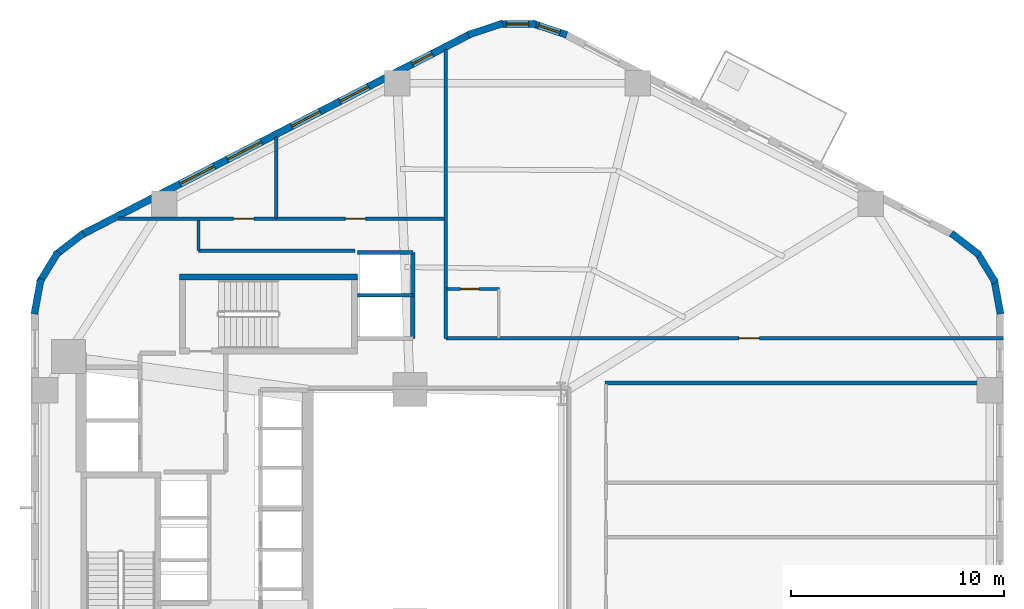
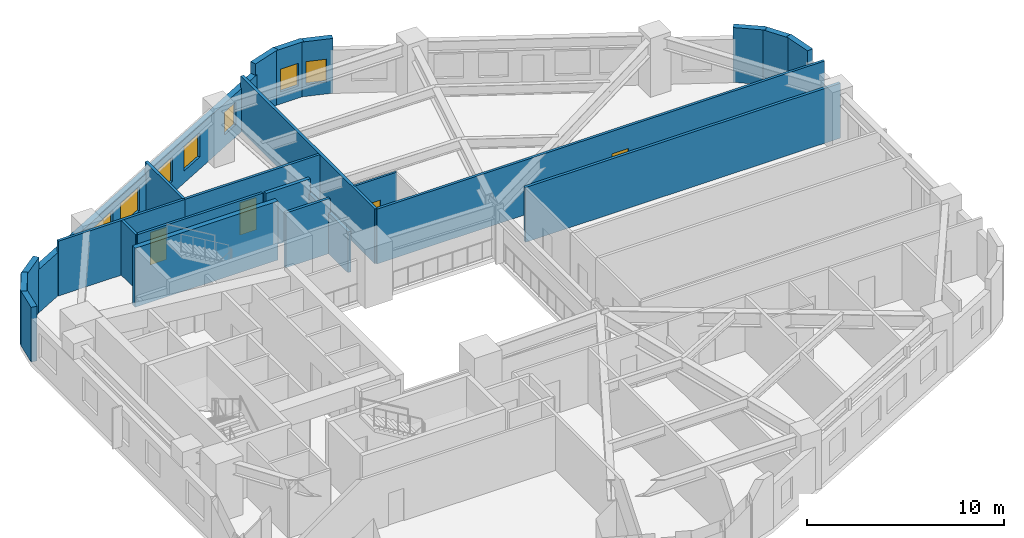
# One storey, part 5 of 8: 23 walls, 7 windows, 4 doors, 11 openings.
"""IFC4 building model written with IfcOpenShell, lengths in metres."""

from ifc_helpers import new_model, si_unit, direction, frame, frame_2d, origin, place, context, subcontext, project, spatial, rectangle, extrude, material, layer, layer_set, type_object, element, fill, save


model = new_model("IFC4")

# Units and contexts
model_context = context("Model", 3, precision=1e-05, world=origin(), true_north=direction((0.0, 1.0)))
body_context = subcontext(model_context, "Body", "Model", "MODEL_VIEW")
ifc_project = project(units=[si_unit("LENGTHUNIT", "METRE"), si_unit("AREAUNIT", "SQUARE_METRE"), si_unit("VOLUMEUNIT", "CUBIC_METRE"), si_unit("PLANEANGLEUNIT", "RADIAN"), si_unit("MASSUNIT", "GRAM", prefix="KILO"), si_unit("THERMODYNAMICTEMPERATUREUNIT", "KELVIN"), si_unit("POWERUNIT", "WATT")], contexts=[model_context])

# Site, building, storey
site_placement = place(None, origin())
site = spatial("IfcSite", under=ifc_project, at=site_placement, CompositionType="ELEMENT")
building_placement = place(site_placement, origin())
building = spatial("IfcBuilding", under=site, at=building_placement, Name="Skarre Station Tower", CompositionType="ELEMENT")
storey_placement = place(building_placement, frame((0.0, 0.0, 81.75)))
storey = spatial("IfcBuildingStorey", under=building, at=storey_placement, Name="L21", CompositionType="ELEMENT", Elevation=81.75)

# Wall, opening, door
ifc_material_1 = material(Name="Acoustic Steel-Stud Gypsum Partition", Category="steel")
ifc_layer_1 = layer(ifc_material_1, 0.14990234375, Name="Acoustic Steel-Stud Gypsum Partition")
ifc_layer_set_1 = layer_set([ifc_layer_1], Name="Acoustic Steel-Stud Gypsum Partition")
wall_type_1 = type_object("IfcWallType", Name="Fire-Rated Corridor Acoustic Partition 150", PredefinedType="PARTITIONING", material=ifc_layer_set_1)
wall_1_placement = place(storey_placement, frame((26.048095703125, 37.580078125, 0.0), z_axis=(0.0, 0.0, 1.0), x_axis=(-1.0, 0.0, 0.0)))
wall_1 = element("IfcWall", 1, at=wall_1_placement, inside=storey, type_object=wall_type_1, Name="L21 Interior Partition WL-PT-L21-NWW1-CW", PredefinedType="PARTITIONING", context=body_context, shape_type="SweptSolid", body=[
    extrude(rectangle(XDim=7.398193359375, YDim=0.14990234375, at=frame_2d((3.69921875, 0.0))), origin(), (0.0, 0.0, 1.0), 3.389892578125),
])
opening_1_placement = place(wall_1_placement, frame((1.035888671875, 0.0, 0.0)))
opening_1 = element("IfcOpeningElement", 2, at=opening_1_placement, cuts=wall_1, Name="Opening DR-FD60", PredefinedType="OPENING", context=body_context, shape_type="SweptSolid", body=[
    extrude(rectangle(XDim=0.9599609375, YDim=2.0, at=frame_2d((0.47998046875, 1.0))), frame((0.0, 0.0849609375, 0.0), z_axis=(0.0, -1.0, 0.0), x_axis=(1.0, 0.0, 0.0)), (0.0, 0.0, 1.0), 0.169921875),
])
ifc_material_2 = material(Name="Nordic White-Oak Veneer Solid-Core Fire Leaf", Category="wood")
door_type_1 = type_object("IfcDoorType", Name="Corridor Suite Entry Fire Door FD60 960x2150", OperationType="SINGLE_SWING_LEFT", PredefinedType="DOOR", material=ifc_material_2)
door_1_placement = place(opening_1_placement, origin())
door_1 = element("IfcDoor", 3, at=door_1_placement, inside=storey, type_object=door_type_1, Name="L21 NWW1 Entry Door", OperationType="SINGLE_SWING_LEFT", OverallHeight=2.0, OverallWidth=0.9599609375, PredefinedType="DOOR", context=body_context, shape_type="SweptSolid", body=[
    extrude(rectangle(XDim=0.9599609375, YDim=2.0, at=frame_2d((0.47998046875, 1.0))), frame((0.0, 0.02490234375, 0.0), z_axis=(0.0, -1.0, 0.0), x_axis=(1.0, 0.0, 0.0)), (0.0, 0.0, 1.0), 0.050048828125),
])
fill(opening_1, door_1)

wall_2_placement = place(storey_placement, frame((33.9619140625, 37.580078125, 0.0), z_axis=(0.0, 0.0, 1.0), x_axis=(-1.0, 0.0, 0.0)))
wall_2 = element("IfcWall", 4, at=wall_2_placement, inside=storey, type_object=wall_type_1, Name="L21 Interior Partition WL-PT-L21-NWW2-CW", PredefinedType="PARTITIONING", context=body_context, shape_type="SweptSolid", body=[
    extrude(rectangle(XDim=7.90380859375, YDim=0.14990234375, at=frame_2d((3.951904296875, 0.0))), origin(), (0.0, 0.0, 1.0), 3.389892578125),
])
opening_2_placement = place(wall_2_placement, frame((3.697021484375, 0.0, 0.0)))
opening_2 = element("IfcOpeningElement", 5, at=opening_2_placement, cuts=wall_2, Name="Opening DR-FD60", PredefinedType="OPENING", context=body_context, shape_type="SweptSolid", body=[
    extrude(rectangle(XDim=0.9599609375, YDim=2.0, at=frame_2d((0.47998046875, 1.0))), frame((0.0, 0.0849609375, 0.0), z_axis=(0.0, -1.0, 0.0), x_axis=(1.0, 0.0, 0.0)), (0.0, 0.0, 1.0), 0.169921875),
])
door_2_placement = place(opening_2_placement, origin())
door_2 = element("IfcDoor", 6, at=door_2_placement, inside=storey, type_object=door_type_1, Name="L21 NWW2 Entry Door", OperationType="SINGLE_SWING_LEFT", OverallHeight=2.0, OverallWidth=0.9599609375, PredefinedType="DOOR", context=body_context, shape_type="SweptSolid", body=[
    extrude(rectangle(XDim=0.9599609375, YDim=2.0, at=frame_2d((0.47998046875, 1.0))), frame((0.0, 0.02490234375, 0.0), z_axis=(0.0, -1.0, 0.0), x_axis=(1.0, 0.0, 0.0)), (0.0, 0.0, 1.0), 0.050048828125),
])
fill(opening_2, door_2)

wall_3_placement = place(storey_placement, frame((60.2529296875, 31.9599609375, 0.0), z_axis=(0.0, 0.0, 1.0), x_axis=(-1.0, 0.0, 0.0)))
wall_3 = element("IfcWall", 7, at=wall_3_placement, inside=storey, type_object=wall_type_1, Name="L21 Interior Partition WL-PT-L21-NW1-CW", PredefinedType="PARTITIONING", context=body_context, shape_type="SweptSolid", body=[
    extrude(rectangle(XDim=26.212890625, YDim=0.14990234375, at=frame_2d((13.1064453125, 0.0))), origin(), (0.0, 0.0, 1.0), 3.389892578125),
])
opening_3_placement = place(wall_3_placement, frame((11.47705078125, 0.0, 0.0)))
opening_3 = element("IfcOpeningElement", 8, at=opening_3_placement, cuts=wall_3, Name="Opening DR-FD60", PredefinedType="OPENING", context=body_context, shape_type="SweptSolid", body=[
    extrude(rectangle(XDim=0.9599609375, YDim=2.0, at=frame_2d((0.47998046875, 1.0))), frame((0.0, 0.0849609375, 0.0), z_axis=(0.0, -1.0, 0.0), x_axis=(1.0, 0.0, 0.0)), (0.0, 0.0, 1.0), 0.169921875),
])
door_3_placement = place(opening_3_placement, origin())
door_3 = element("IfcDoor", 9, at=door_3_placement, inside=storey, type_object=door_type_1, Name="L21 NW1 Entry Door", OperationType="SINGLE_SWING_LEFT", OverallHeight=2.0, OverallWidth=0.9599609375, PredefinedType="DOOR", context=body_context, shape_type="SweptSolid", body=[
    extrude(rectangle(XDim=0.9599609375, YDim=2.0, at=frame_2d((0.47998046875, 1.0))), frame((0.0, 0.02490234375, 0.0), z_axis=(0.0, -1.0, 0.0), x_axis=(1.0, 0.0, 0.0)), (0.0, 0.0, 1.0), 0.050048828125),
])
fill(opening_3, door_3)

# Walls
wall_4_placement = place(storey_placement, frame((29.7529296875, 36.080078125, 0.0), z_axis=(0.0, 0.0, 1.0), x_axis=(-1.0, 0.0, 0.0)))
element("IfcWall", 10, at=wall_4_placement, inside=storey, type_object=wall_type_1, Name="L21 Interior Partition WL-PT-L21-CSEAL-1", PredefinedType="PARTITIONING", context=body_context, shape_type="SweptSolid", body=[
    extrude(rectangle(XDim=7.35302734375, YDim=0.14990234375, at=frame_2d((3.676513671875, 0.0))), origin(), (0.0, 0.0, 1.0), 3.389892578125),
])
wall_5_placement = place(storey_placement, frame((22.39990234375, 36.080078125, 0.0), z_axis=(0.0, 0.0, 1.0), x_axis=(0.0, 1.0, 0.0)))
element("IfcWall", 11, at=wall_5_placement, inside=storey, type_object=wall_type_1, Name="L21 Interior Partition WL-PT-L21-CSEAL-2", PredefinedType="PARTITIONING", context=body_context, shape_type="SweptSolid", body=[
    extrude(rectangle(XDim=1.429931640625, YDim=0.14990234375, at=frame_2d((0.71484375, 0.0))), origin(), (0.0, 0.0, 1.0), 3.389892578125),
])

# Wall, opening, door
ifc_material_3 = material(Name="Insulated Timber-Stud Gypsum Partition", Category="wood")
ifc_layer_2 = layer(ifc_material_3, 0.1201171875, Name="Insulated Timber-Stud Gypsum Partition")
ifc_layer_set_2 = layer_set([ifc_layer_2], Name="Insulated Timber-Stud Gypsum Partition")
wall_type_2 = type_object("IfcWallType", Name="Internal Suite Acoustic Partition 120", PredefinedType="PARTITIONING", material=ifc_layer_set_2)
wall_6_placement = place(storey_placement, frame((34.080078125, 34.280029296875, 0.0), z_axis=(0.0, 0.0, 1.0), x_axis=(1.0, 0.0, 0.0)))
wall_6 = element("IfcWall", 12, at=wall_6_placement, inside=storey, type_object=wall_type_2, Name="L21 Interior Partition WL-PT-L21-NW1-SA1", PredefinedType="PARTITIONING", context=body_context, shape_type="SweptSolid", body=[
    extrude(rectangle(XDim=2.47998046875, YDim=0.1201171875, at=frame_2d((1.239990234375, 0.0))), origin(), (0.0, 0.0, 1.0), 3.389892578125),
])
opening_4_placement = place(wall_6_placement, frame((0.64990234375, 0.0, 0.0)))
opening_4 = element("IfcOpeningElement", 13, at=opening_4_placement, cuts=wall_6, Name="Opening DR-INT86", PredefinedType="OPENING", context=body_context, shape_type="SweptSolid", body=[
    extrude(rectangle(XDim=0.860107421875, YDim=2.0, at=frame_2d((0.43017578125, 1.0))), frame((0.0, 0.070068359375, 0.0), z_axis=(0.0, -1.0, 0.0), x_axis=(1.0, 0.0, 0.0)), (0.0, 0.0, 1.0), 0.14013671875),
])
ifc_material_4 = material(Name="Nordic Birch Acoustic Solid-Core Timber Leaf", Category="wood")
door_type_2 = type_object("IfcDoorType", Name="Internal En-Suite & Bedroom Door 860x2100", OperationType="SINGLE_SWING_LEFT", PredefinedType="DOOR", material=ifc_material_4)
door_4_placement = place(opening_4_placement, origin())
door_4 = element("IfcDoor", 14, at=door_4_placement, inside=storey, type_object=door_type_2, Name="L21 NW1 Alcove Store Door", OperationType="SINGLE_SWING_LEFT", OverallHeight=2.0, OverallWidth=0.860107421875, PredefinedType="DOOR", context=body_context, shape_type="SweptSolid", body=[
    extrude(rectangle(XDim=0.860107421875, YDim=2.0, at=frame_2d((0.43017578125, 1.0))), frame((0.0, 0.02490234375, 0.0), z_axis=(0.0, -1.0, 0.0), x_axis=(1.0, 0.0, 0.0)), (0.0, 0.0, 1.0), 0.050048828125),
])
fill(opening_4, door_4)

# Wall, openings, windows
ifc_material_5 = material(Name="Precast concrete C45/55", Category="concrete")
ifc_layer_3 = layer(ifc_material_5, 0.340087890625, Name="Precast concrete C45/55")
ifc_layer_set_3 = layer_set([ifc_layer_3], Name="Precast concrete C45/55")
wall_type_3 = type_object("IfcWallType", Name="Nordic Honed Precast Facet Wall 340", PredefinedType="STANDARD", material=ifc_layer_set_3)
wall_7_placement = place(storey_placement, frame((16.924072265625, 36.841064453125, 0.0), z_axis=(0.0, 0.0, 1.0), x_axis=(0.888634413993, 0.458616264721, 0.0)))
wall_7 = element("IfcWall", 15, at=wall_7_placement, inside=storey, type_object=wall_type_3, Name="L21 Facet 1 Nordic Precast Masonry Wall", PredefinedType="STANDARD", context=body_context, shape_type="SweptSolid", body=[
    extrude(rectangle(XDim=20.53125, YDim=0.340087890625, at=frame_2d((10.265625, 0.0))), origin(), (0.0, 0.0, 1.0), 2.68408203125),
])
opening_5_placement = place(wall_7_placement, frame((5.197021484375, 0.0, 0.75)))
opening_5 = element("IfcOpeningElement", 16, at=opening_5_placement, cuts=wall_7, Name="Opening WN-Z1A", PredefinedType="OPENING", context=body_context, shape_type="SweptSolid", body=[
    extrude(rectangle(XDim=1.800048828125, YDim=1.5, at=frame_2d((0.89990234375, 0.75))), frame((0.0, 0.179931640625, 0.0), z_axis=(0.0, -1.0, 0.0), x_axis=(1.0, 0.0, 0.0)), (0.0, 0.0, 1.0), 0.360107421875),
])
opening_6_placement = place(wall_7_placement, frame((7.697998046875, 0.0, 0.75)))
opening_6 = element("IfcOpeningElement", 17, at=opening_6_placement, cuts=wall_7, Name="Opening WN-Z1A", PredefinedType="OPENING", context=body_context, shape_type="SweptSolid", body=[
    extrude(rectangle(XDim=1.800048828125, YDim=1.5, at=frame_2d((0.89990234375, 0.75))), frame((0.0, 0.179931640625, 0.0), z_axis=(0.0, -1.0, 0.0), x_axis=(1.0, 0.0, 0.0)), (0.0, 0.0, 1.0), 0.360107421875),
])
opening_7_placement = place(wall_7_placement, frame((11.10107421875, 0.0, 0.75)))
opening_7 = element("IfcOpeningElement", 18, at=opening_7_placement, cuts=wall_7, Name="Opening WN-Z1B", PredefinedType="OPENING", context=body_context, shape_type="SweptSolid", body=[
    extrude(rectangle(XDim=1.5, YDim=1.5, at=frame_2d((0.75, 0.75))), frame((0.0, 0.179931640625, 0.0), z_axis=(0.0, -1.0, 0.0), x_axis=(1.0, 0.0, 0.0)), (0.0, 0.0, 1.0), 0.360107421875),
])
opening_8_placement = place(wall_7_placement, frame((13.656982421875, 0.0, 0.75)))
opening_8 = element("IfcOpeningElement", 19, at=opening_8_placement, cuts=wall_7, Name="Opening WN-Z1B", PredefinedType="OPENING", context=body_context, shape_type="SweptSolid", body=[
    extrude(rectangle(XDim=1.5, YDim=1.5, at=frame_2d((0.75, 0.75))), frame((0.0, 0.179931640625, 0.0), z_axis=(0.0, -1.0, 0.0), x_axis=(1.0, 0.0, 0.0)), (0.0, 0.0, 1.0), 0.360107421875),
])
opening_9_placement = place(wall_7_placement, frame((17.47607421875, 0.0, 0.75)))
opening_9 = element("IfcOpeningElement", 20, at=opening_9_placement, cuts=wall_7, Name="Opening WN-SLT", PredefinedType="OPENING", context=body_context, shape_type="SweptSolid", body=[
    extrude(rectangle(XDim=1.050048828125, YDim=1.39990234375, at=frame_2d((0.52490234375, 0.699951171875))), frame((0.0, 0.179931640625, 0.0), z_axis=(0.0, -1.0, 0.0), x_axis=(1.0, 0.0, 0.0)), (0.0, 0.0, 1.0), 0.360107421875),
])
ifc_material_6 = material(Name="Low-Iron Triple Glazing with Bronze Anodized Frame", Category="glass")
window_type_1 = type_object("IfcWindowType", Name="Nordic Corner Slot Window 1050x1400", PartitioningType="SINGLE_PANEL", PredefinedType="WINDOW", material=ifc_material_6)
window_1_placement = place(opening_9_placement, origin())
window_1 = element("IfcWindow", 21, at=window_1_placement, inside=storey, type_object=window_type_1, Name="L21 Facade Window WL-FAC-L21-F1-5", OverallHeight=1.39990234375, OverallWidth=1.050048828125, PartitioningType="SINGLE_PANEL", PredefinedType="WINDOW", context=body_context, shape_type="SweptSolid", body=[
    extrude(rectangle(XDim=1.050048828125, YDim=1.39990234375, at=frame_2d((0.52490234375, 0.699951171875))), frame((0.0, 0.030029296875, 0.0), z_axis=(0.0, -1.0, 0.0), x_axis=(1.0, 0.0, 0.0)), (0.0, 0.0, 1.0), 0.06005859375),
])
fill(opening_9, window_1)
window_type_2 = type_object("IfcWindowType", Name="Nordic Punched Triple-Glazed Window 1500x1500", PartitioningType="SINGLE_PANEL", PredefinedType="WINDOW", material=ifc_material_6)
window_2_placement = place(opening_7_placement, origin())
window_2 = element("IfcWindow", 22, at=window_2_placement, inside=storey, type_object=window_type_2, Name="L21 Facade Window WL-FAC-L21-F1-3", OverallHeight=1.5, OverallWidth=1.5, PartitioningType="SINGLE_PANEL", PredefinedType="WINDOW", context=body_context, shape_type="SweptSolid", body=[
    extrude(rectangle(XDim=1.5, YDim=1.5, at=frame_2d((0.75, 0.75))), frame((0.0, 0.030029296875, 0.0), z_axis=(0.0, -1.0, 0.0), x_axis=(1.0, 0.0, 0.0)), (0.0, 0.0, 1.0), 0.06005859375),
])
fill(opening_7, window_2)
window_3_placement = place(opening_8_placement, origin())
window_3 = element("IfcWindow", 23, at=window_3_placement, inside=storey, type_object=window_type_2, Name="L21 Facade Window WL-FAC-L21-F1-4", OverallHeight=1.5, OverallWidth=1.5, PartitioningType="SINGLE_PANEL", PredefinedType="WINDOW", context=body_context, shape_type="SweptSolid", body=[
    extrude(rectangle(XDim=1.5, YDim=1.5, at=frame_2d((0.75, 0.75))), frame((0.0, 0.030029296875, 0.0), z_axis=(0.0, -1.0, 0.0), x_axis=(1.0, 0.0, 0.0)), (0.0, 0.0, 1.0), 0.06005859375),
])
fill(opening_8, window_3)
window_type_3 = type_object("IfcWindowType", Name="Nordic Punched Triple-Glazed Window 1800x1500", PartitioningType="SINGLE_PANEL", PredefinedType="WINDOW", material=ifc_material_6)
window_4_placement = place(opening_5_placement, origin())
window_4 = element("IfcWindow", 24, at=window_4_placement, inside=storey, type_object=window_type_3, Name="L21 Facade Window WL-FAC-L21-F1-1", OverallHeight=1.5, OverallWidth=1.800048828125, PartitioningType="SINGLE_PANEL", PredefinedType="WINDOW", context=body_context, shape_type="SweptSolid", body=[
    extrude(rectangle(XDim=1.800048828125, YDim=1.5, at=frame_2d((0.89990234375, 0.75))), frame((0.0, 0.030029296875, 0.0), z_axis=(0.0, -1.0, 0.0), x_axis=(1.0, 0.0, 0.0)), (0.0, 0.0, 1.0), 0.06005859375),
])
fill(opening_5, window_4)
window_5_placement = place(opening_6_placement, origin())
window_5 = element("IfcWindow", 25, at=window_5_placement, inside=storey, type_object=window_type_3, Name="L21 Facade Window WL-FAC-L21-F1-2", OverallHeight=1.5, OverallWidth=1.800048828125, PartitioningType="SINGLE_PANEL", PredefinedType="WINDOW", context=body_context, shape_type="SweptSolid", body=[
    extrude(rectangle(XDim=1.800048828125, YDim=1.5, at=frame_2d((0.89990234375, 0.75))), frame((0.0, 0.030029296875, 0.0), z_axis=(0.0, -1.0, 0.0), x_axis=(1.0, 0.0, 0.0)), (0.0, 0.0, 1.0), 0.06005859375),
])
fill(opening_6, window_5)

# Walls
ifc_layer_4 = layer(ifc_material_5, 0.330078125, Name="Precast concrete C45/55")
ifc_layer_set_4 = layer_set([ifc_layer_4], Name="Precast concrete C45/55")
wall_type_4 = type_object("IfcWallType", Name="Nordic Rounded Corner Precast Wall 330", PredefinedType="STANDARD", material=ifc_layer_set_4)
wall_8_placement = place(storey_placement, frame((57.802001953125, 36.90087890625, 0.0), z_axis=(0.0, 0.0, 1.0), x_axis=(0.790691856293, -0.61221433207, 0.0)))
element("IfcWall", 26, at=wall_8_placement, inside=storey, type_object=wall_type_4, Name="L21 Rounded Corner Precast Wall F0-1", PredefinedType="STANDARD", context=body_context, shape_type="SweptSolid", body=[
    extrude(rectangle(XDim=1.67578125, YDim=0.330078125, at=frame_2d((0.837890625, 0.0))), origin(), (0.0, 0.0, 1.0), 3.389892578125),
])
wall_9_placement = place(storey_placement, frame((59.001953125, 36.014892578125, 0.0), z_axis=(0.0, 0.0, 1.0), x_axis=(0.520584129191, -0.853810379671, 0.0)))
element("IfcWall", 27, at=wall_9_placement, inside=storey, type_object=wall_type_4, Name="L21 Rounded Corner Precast Wall F0-2", PredefinedType="STANDARD", context=body_context, shape_type="SweptSolid", body=[
    extrude(rectangle(XDim=1.677001953125, YDim=0.330078125, at=frame_2d((0.83837890625, 0.0))), origin(), (0.0, 0.0, 1.0), 3.389892578125),
])
wall_10_placement = place(storey_placement, frame((59.80810546875, 34.758056640625, 0.0), z_axis=(0.0, 0.0, 1.0), x_axis=(0.181714143354, -0.983351397063, 0.0)))
element("IfcWall", 28, at=wall_10_placement, inside=storey, type_object=wall_type_4, Name="L21 Rounded Corner Precast Wall F0-3", PredefinedType="STANDARD", context=body_context, shape_type="SweptSolid", body=[
    extrude(rectangle(XDim=1.677978515625, YDim=0.330078125, at=frame_2d((0.8388671875, 0.0))), origin(), (0.0, 0.0, 1.0), 3.389892578125),
])
wall_11_placement = place(storey_placement, frame((35.0810546875, 46.23095703125, 0.0), z_axis=(0.0, 0.0, 1.0), x_axis=(0.94976901097, 0.312951794691, 0.0)))
element("IfcWall", 29, at=wall_11_placement, inside=storey, type_object=wall_type_4, Name="L21 Rounded Corner Precast Wall F1-1", PredefinedType="STANDARD", context=body_context, shape_type="SweptSolid", body=[
    extrude(rectangle(XDim=1.722412109375, YDim=0.330078125, at=frame_2d((0.861328125, 0.0))), origin(), (0.0, 0.0, 1.0), 3.389892578125),
])

# Wall, opening, window
wall_12_placement = place(storey_placement, frame((36.5390625, 46.740966796875, 0.0), z_axis=(0.0, 0.0, 1.0), x_axis=(1.0, 0.0, 0.0)))
wall_12 = element("IfcWall", 30, at=wall_12_placement, inside=storey, type_object=wall_type_4, Name="L21 Rounded Corner Precast Wall F1-2", PredefinedType="STANDARD", context=body_context, shape_type="SweptSolid", body=[
    extrude(rectangle(XDim=1.721923828125, YDim=0.330078125, at=frame_2d((0.86083984375, 0.0))), origin(), (0.0, 0.0, 1.0), 3.389892578125),
])
opening_10_placement = place(wall_12_placement, frame((0.3359375, 0.0, 0.75)))
opening_10 = element("IfcOpeningElement", 31, at=opening_10_placement, cuts=wall_12, Name="Opening WN-SLT", PredefinedType="OPENING", context=body_context, shape_type="SweptSolid", body=[
    extrude(rectangle(XDim=1.050048828125, YDim=1.39990234375, at=frame_2d((0.52490234375, 0.699951171875))), frame((0.0, 0.175048828125, 0.0), z_axis=(0.0, -1.0, 0.0), x_axis=(1.0, 0.0, 0.0)), (0.0, 0.0, 1.0), 0.35009765625),
])
window_6_placement = place(opening_10_placement, origin())
window_6 = element("IfcWindow", 32, at=window_6_placement, inside=storey, type_object=window_type_1, Name="L21 Apex Corner Slot Window F1-2", OverallHeight=1.39990234375, OverallWidth=1.050048828125, PartitioningType="SINGLE_PANEL", PredefinedType="WINDOW", context=body_context, shape_type="SweptSolid", body=[
    extrude(rectangle(XDim=1.050048828125, YDim=1.39990234375, at=frame_2d((0.52490234375, 0.699951171875))), frame((0.0, 0.030029296875, 0.0), z_axis=(0.0, -1.0, 0.0), x_axis=(1.0, 0.0, 0.0)), (0.0, 0.0, 1.0), 0.06005859375),
])
fill(opening_10, window_6)

wall_13_placement = place(storey_placement, frame((38.0830078125, 46.77001953125, 0.0), z_axis=(0.0, 0.0, 1.0), x_axis=(0.94976901097, -0.312951794691, 0.0)))
wall_13 = element("IfcWall", 33, at=wall_13_placement, inside=storey, type_object=wall_type_4, Name="L21 Rounded Corner Precast Wall F1-3", PredefinedType="STANDARD", context=body_context, shape_type="SweptSolid", body=[
    extrude(rectangle(XDim=1.722412109375, YDim=0.330078125, at=frame_2d((0.861328125, 0.0))), origin(), (0.0, 0.0, 1.0), 3.389892578125),
])
opening_11_placement = place(wall_13_placement, frame((0.3359375, 0.0, 0.75)))
opening_11 = element("IfcOpeningElement", 34, at=opening_11_placement, cuts=wall_13, Name="Opening WN-SLT", PredefinedType="OPENING", context=body_context, shape_type="SweptSolid", body=[
    extrude(rectangle(XDim=1.050048828125, YDim=1.39990234375, at=frame_2d((0.52490234375, 0.699951171875))), frame((0.0, 0.175048828125, 0.0), z_axis=(0.0, -1.0, 0.0), x_axis=(1.0, 0.0, 0.0)), (0.0, 0.0, 1.0), 0.35009765625),
])
window_7_placement = place(opening_11_placement, origin())
window_7 = element("IfcWindow", 35, at=window_7_placement, inside=storey, type_object=window_type_1, Name="L21 Apex Corner Slot Window F1-3", OverallHeight=1.39990234375, OverallWidth=1.050048828125, PartitioningType="SINGLE_PANEL", PredefinedType="WINDOW", context=body_context, shape_type="SweptSolid", body=[
    extrude(rectangle(XDim=1.050048828125, YDim=1.39990234375, at=frame_2d((0.52490234375, 0.699951171875))), frame((0.0, 0.030029296875, 0.0), z_axis=(0.0, -1.0, 0.0), x_axis=(1.0, 0.0, 0.0)), (0.0, 0.0, 1.0), 0.06005859375),
])
fill(opening_11, window_7)

# Walls
wall_14_placement = place(storey_placement, frame((14.68701171875, 33.10791015625, 0.0), z_axis=(0.0, 0.0, 1.0), x_axis=(0.181714143354, 0.983351397063, 0.0)))
element("IfcWall", 36, at=wall_14_placement, inside=storey, type_object=wall_type_4, Name="L21 Rounded Corner Precast Wall F2-1", PredefinedType="STANDARD", context=body_context, shape_type="SweptSolid", body=[
    extrude(rectangle(XDim=1.677978515625, YDim=0.330078125, at=frame_2d((0.8388671875, 0.0))), origin(), (0.0, 0.0, 1.0), 3.389892578125),
])
wall_15_placement = place(storey_placement, frame((14.925048828125, 34.5830078125, 0.0), z_axis=(0.0, 0.0, 1.0), x_axis=(0.520584129191, 0.853810379671, 0.0)))
element("IfcWall", 37, at=wall_15_placement, inside=storey, type_object=wall_type_4, Name="L21 Rounded Corner Precast Wall F2-2", PredefinedType="STANDARD", context=body_context, shape_type="SweptSolid", body=[
    extrude(rectangle(XDim=1.677001953125, YDim=0.330078125, at=frame_2d((0.83837890625, 0.0))), origin(), (0.0, 0.0, 1.0), 3.389892578125),
])
wall_16_placement = place(storey_placement, frame((15.673095703125, 35.875, 0.0), z_axis=(0.0, 0.0, 1.0), x_axis=(0.790691856293, 0.61221433207, 0.0)))
element("IfcWall", 38, at=wall_16_placement, inside=storey, type_object=wall_type_4, Name="L21 Rounded Corner Precast Wall F2-3", PredefinedType="STANDARD", context=body_context, shape_type="SweptSolid", body=[
    extrude(rectangle(XDim=1.67578125, YDim=0.330078125, at=frame_2d((0.837890625, 0.0))), origin(), (0.0, 0.0, 1.0), 3.389892578125),
])
ifc_material_7 = material(Name="Concrete C50/60", Category="concrete")
ifc_layer_5 = layer(ifc_material_7, 0.280029296875, Name="Concrete C50/60")
ifc_layer_set_5 = layer_set([ifc_layer_5], Name="Concrete C50/60")
wall_type_5 = type_object("IfcWallType", Name="RC Core Shear Wall 280", PredefinedType="SHEAR", material=ifc_layer_set_5)
wall_17_placement = place(storey_placement, frame((29.8798828125, 34.840087890625, 0.0), z_axis=(0.0, 0.0, 1.0), x_axis=(-1.0, 0.0, 0.0)))
element("IfcWall", 39, at=wall_17_placement, inside=storey, type_object=wall_type_5, Name="L21 Stair ST-3 North Shear Wall", PredefinedType="SHEAR", context=body_context, shape_type="SweptSolid", body=[
    extrude(rectangle(XDim=8.35986328125, YDim=0.280029296875, at=frame_2d((4.179931640625, 0.0))), origin(), (0.0, 0.0, 1.0), 3.64990234375),
])
ifc_material_8 = material(Name="Gypsum Concrete Shaft Assembly C30/37", Category="concrete")
ifc_layer_6 = layer(ifc_material_8, 0.199951171875, Name="Gypsum Concrete Shaft Assembly C30/37")
ifc_layer_set_6 = layer_set([ifc_layer_6], Name="Gypsum Concrete Shaft Assembly C30/37")
wall_type_6 = type_object("IfcWallType", Name="Shaft & Core Fire Partition 200", PredefinedType="PARTITIONING", material=ifc_layer_set_6)
wall_18_placement = place(storey_placement, frame((32.47998046875, 31.949951171875, 0.0), z_axis=(0.0, 0.0, 1.0), x_axis=(0.0, 1.0, 0.0)))
element("IfcWall", 40, at=wall_18_placement, inside=storey, type_object=wall_type_6, Name="L21 Interior Partition WL-PT-L21-EX-E", PredefinedType="PARTITIONING", context=body_context, shape_type="SweptSolid", body=[
    extrude(rectangle(XDim=4.050048828125, YDim=0.199951171875, at=frame_2d((2.02490234375, 0.0))), origin(), (0.0, 0.0, 1.0), 2.512939453125),
])
wall_19_placement = place(storey_placement, frame((29.8798828125, 36.0, 0.0), z_axis=(0.0, 0.0, 1.0), x_axis=(1.0, 0.0, 0.0)))
element("IfcWall", 41, at=wall_19_placement, inside=storey, type_object=wall_type_6, Name="L21 Interior Partition WL-PT-L21-EX-N", PredefinedType="PARTITIONING", context=body_context, shape_type="SweptSolid", body=[
    extrude(rectangle(XDim=2.60009765625, YDim=0.199951171875, at=frame_2d((1.300048828125, 0.0))), origin(), (0.0, 0.0, 1.0), 3.389892578125),
])
wall_20_placement = place(storey_placement, frame((29.875, 33.97998046875, 0.0), z_axis=(0.0, 0.0, 1.0), x_axis=(1.0, 0.0, 0.0)))
element("IfcWall", 42, at=wall_20_placement, inside=storey, type_object=wall_type_6, Name="L21 Interior Partition WL-PT-L21-EX-DIV", PredefinedType="PARTITIONING", context=body_context, shape_type="SweptSolid", body=[
    extrude(rectangle(XDim=2.60498046875, YDim=0.159912109375, at=frame_2d((1.302490234375, 0.0))), origin(), (0.0, 0.0, 1.0), 3.389892578125),
])
ifc_layer_7 = layer(ifc_material_1, 0.1650390625, Name="Acoustic Steel-Stud Gypsum Partition")
ifc_layer_set_7 = layer_set([ifc_layer_7], Name="Acoustic Steel-Stud Gypsum Partition")
wall_type_7 = type_object("IfcWallType", Name="Suite Demising Acoustic Partition 165", PredefinedType="PARTITIONING", material=ifc_layer_set_7)
wall_21_placement = place(storey_placement, frame((26.052978515625, 37.610107421875, 0.0), z_axis=(0.0, 0.0, 1.0), x_axis=(0.0, 1.0, 0.0)))
element("IfcWall", 43, at=wall_21_placement, inside=storey, type_object=wall_type_7, Name="L21 Interior Partition WL-PT-L21-NWW-P1", PredefinedType="PARTITIONING", context=body_context, shape_type="SweptSolid", body=[
    extrude(rectangle(XDim=3.806884765625, YDim=0.1650390625, at=frame_2d((1.9033203125, 0.0))), origin(), (0.0, 0.0, 1.0), 3.389892578125),
])
wall_22_placement = place(storey_placement, frame((34.0400390625, 31.9599609375, 0.0), z_axis=(0.0, 0.0, 1.0), x_axis=(0.0, 1.0, 0.0)))
element("IfcWall", 44, at=wall_22_placement, inside=storey, type_object=wall_type_7, Name="L21 Interior Partition WL-PT-L21-NW-WBND", PredefinedType="PARTITIONING", context=body_context, shape_type="SweptSolid", body=[
    extrude(rectangle(XDim=13.5791015625, YDim=0.1650390625, at=frame_2d((6.78955078125, 0.0))), origin(), (0.0, 0.0, 1.0), 3.389892578125),
])
wall_23_placement = place(storey_placement, frame((41.52001953125, 29.860107421875, 0.0), z_axis=(0.0, 0.0, 1.0), x_axis=(1.0, 0.0, 0.0)))
element("IfcWall", 45, at=wall_23_placement, inside=storey, type_object=wall_type_7, Name="L21 Interior Partition WL-PT-L21-EWB-N", PredefinedType="PARTITIONING", context=body_context, shape_type="SweptSolid", body=[
    extrude(rectangle(XDim=18.452880859375, YDim=0.1650390625, at=frame_2d((9.2265625, 0.0))), origin(), (0.0, 0.0, 1.0), 3.389892578125),
])

save(model, "model.ifc")
